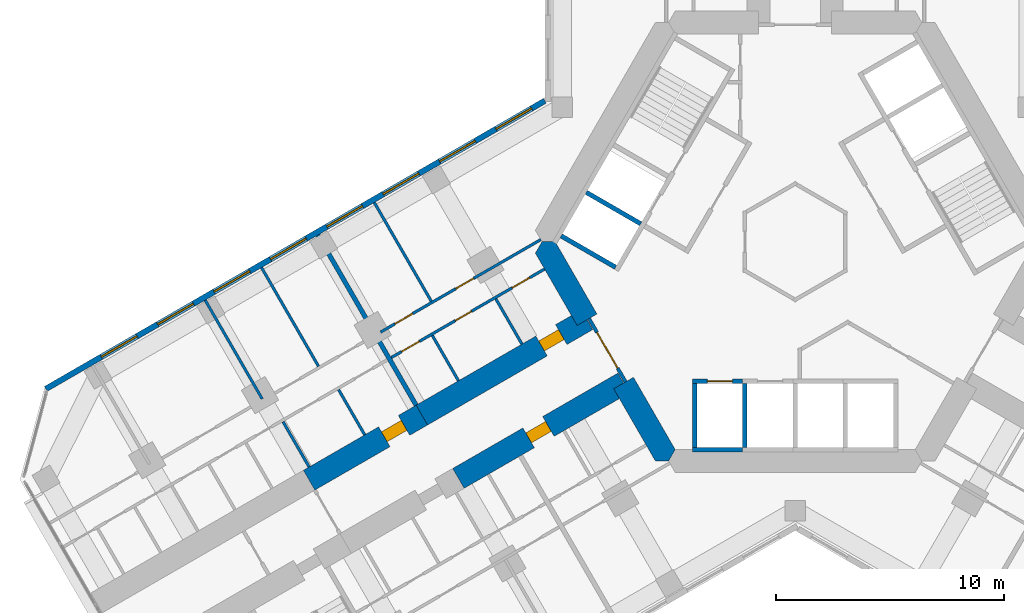
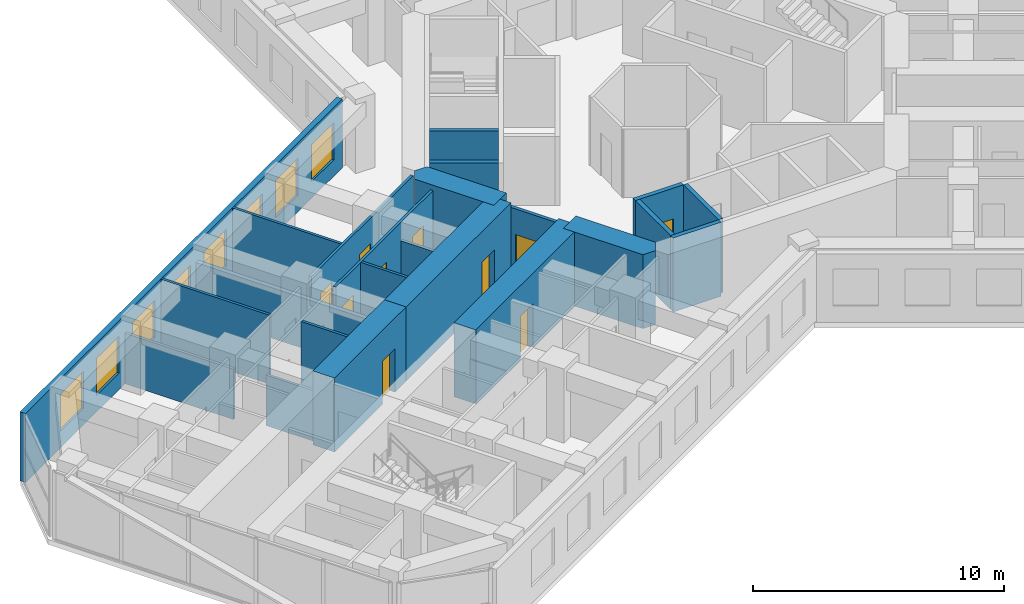
# One storey, part 12 of 21: 23 walls, 10 doors, 8 windows, 18 openings.
"""IFC4 building model written with IfcOpenShell, lengths in metres."""

import ifcopenshell
import ifcopenshell.guid

model = None  # the IFC model being written
_history = None  # IfcOwnerHistory: only IFC2X3 demands one
_inside = {}  # id of a spatial element -> (the spatial element, [elements in it])
_under = {}  # id of a project, library or spatial element -> (it, [spatial elements below it])
_declared = {}  # id of a project -> (the project, [libraries it declares])
_typed = {}  # id of a type object -> (the type object, [elements of that type])
_made_of = {}  # id of a material, layer set ... -> (it, [elements and type objects made of it])


def new_model(schema):
    """Start an empty IFC model of exactly this schema.

    Asked for "IFC4X3", IfcOpenShell would pick the latest addendum, in which some entities
    have other attributes; the version numbers below select the first issue.
    IFC2X3 requires an IfcOwnerHistory on every rooted entity: one is made here for all.
    """
    global model, _history
    if schema == "IFC4X3":
        model = ifcopenshell.file(schema_version=(4, 3, 0, 0))
    else:
        model = ifcopenshell.file(schema=schema)
    _inside.clear()
    _under.clear()
    _declared.clear()
    _typed.clear()
    _made_of.clear()
    _history = None
    if model.schema == "IFC2X3":
        org = make("IfcOrganization", Name="unknown")
        user = make(
            "IfcPersonAndOrganization",
            ThePerson=make("IfcPerson", FamilyName="unknown"),
            TheOrganization=org,
        )
        app = make(
            "IfcApplication",
            ApplicationDeveloper=org,
            Version="unknown",
            ApplicationFullName="unknown",
            ApplicationIdentifier="unknown",
        )
        _history = make(
            "IfcOwnerHistory",
            OwningUser=user,
            OwningApplication=app,
            ChangeAction="ADDED",
            CreationDate=0,
        )
    return model


def make(cls, **values):
    """One entity of the class cls with the attributes given. An attribute that is None is left unset."""
    return model.create_entity(
        cls, **{name: value for name, value in values.items() if value is not None}
    )


def rooted(cls, **values):
    """An entity with a GlobalId (a new one), such as an element, a storey or a relation."""
    return make(cls, GlobalId=ifcopenshell.guid.new(), OwnerHistory=_history, **values)


def si_unit(unit_type, name, prefix=None):
    """IfcSIUnit, for example si_unit("LENGTHUNIT", "METRE", prefix="MILLI")."""
    return make("IfcSIUnit", UnitType=unit_type, Prefix=prefix, Name=name)


def assignment(units):
    """IfcUnitAssignment: the units of a project."""
    return None if units is None else make("IfcUnitAssignment", Units=units)


def point(xyz):
    """IfcCartesianPoint."""
    return None if xyz is None else make("IfcCartesianPoint", Coordinates=xyz)


def direction(xyz):
    """IfcDirection."""
    return None if xyz is None else make("IfcDirection", DirectionRatios=xyz)


def frame(location, z_axis=None, x_axis=None):
    """IfcAxis2Placement3D, a coordinate frame: its origin and axes. An axis left out is left unset."""
    return make(
        "IfcAxis2Placement3D",
        Location=point(location),
        Axis=direction(z_axis),
        RefDirection=direction(x_axis),
    )


def frame_2d(location, x_axis=None):
    """IfcAxis2Placement2D, a coordinate frame in the plane: its origin and x axis."""
    return make(
        "IfcAxis2Placement2D", Location=point(location), RefDirection=direction(x_axis)
    )


def origin():
    """The frame at (0, 0, 0) with its axes left unset."""
    return frame((0.0, 0.0, 0.0))


def place(relative_to, where):
    """IfcLocalPlacement: puts the frame where relative to a parent placement (None: the world)."""
    return make(
        "IfcLocalPlacement", PlacementRelTo=relative_to, RelativePlacement=where
    )


def context(
    kind, dimensions, precision=None, world=None, true_north=None, identifier=None
):
    """IfcGeometricRepresentationContext, for example the 3D "Model" context."""
    return make(
        "IfcGeometricRepresentationContext",
        ContextIdentifier=identifier,
        ContextType=kind,
        CoordinateSpaceDimension=dimensions,
        Precision=precision,
        WorldCoordinateSystem=world,
        TrueNorth=true_north,
    )


def subcontext(parent, identifier, kind, view, scale=None):
    """IfcGeometricRepresentationSubContext, for example "Body" below "Model"."""
    return make(
        "IfcGeometricRepresentationSubContext",
        ContextIdentifier=identifier,
        ContextType=kind,
        ParentContext=parent,
        TargetScale=scale,
        TargetView=view,
    )


def project(units=None, contexts=None):
    """IfcProject with its units and contexts."""
    return rooted(
        "IfcProject",
        Name="project",
        RepresentationContexts=contexts,
        UnitsInContext=assignment(units),
    )


def spatial(cls, under=None, at=None, **own):
    """A site, building, storey or space (cls), placed at a placement, below another one or the project."""
    s = rooted(cls, ObjectPlacement=at, **own)
    if under is not None:
        _under.setdefault(under.id(), (under, []))[1].append(s)
    return s


def polyline(points):
    """IfcPolyline through the points."""
    return make("IfcPolyline", Points=[point(p) for p in points])


def profile(cls, at=None, kind="AREA", **sizes):
    """A parametric profile (cls). Its sizes go by their IFC names, for example OverallWidth=200.0."""
    return make(cls, ProfileType=kind, Position=at, **sizes)


def rectangle(**sizes):
    """IfcRectangleProfileDef."""
    return profile("IfcRectangleProfileDef", **sizes)


def outline(outer, holes=None, kind="AREA"):
    """IfcArbitraryClosedProfileDef: a profile drawn as a closed curve; with holes, ...WithVoids."""
    if holes is None:
        return make("IfcArbitraryClosedProfileDef", ProfileType=kind, OuterCurve=outer)
    return make(
        "IfcArbitraryProfileDefWithVoids",
        ProfileType=kind,
        OuterCurve=outer,
        InnerCurves=holes,
    )


def extrude(swept, where, along, depth):
    """IfcExtrudedAreaSolid: the profile swept, set in the frame where, extruded along a direction by depth."""
    return make(
        "IfcExtrudedAreaSolid",
        SweptArea=swept,
        Position=where,
        ExtrudedDirection=direction(along),
        Depth=depth,
    )


def shape(context_of_items, identifier, shape_type, items):
    """IfcShapeRepresentation: the items that make up one representation, for example the "Body"."""
    return make(
        "IfcShapeRepresentation",
        ContextOfItems=context_of_items,
        RepresentationIdentifier=identifier,
        RepresentationType=shape_type,
        Items=items,
    )


def material(Name=None, Category=None):
    """IfcMaterial."""
    return make("IfcMaterial", Name=Name, Category=Category)


def layer(
    of_material, thickness, ventilated=None, Name=None, Category=None, Priority=None
):
    """IfcMaterialLayer: one layer of a wall or slab, of a material (None: an air gap)."""
    return make(
        "IfcMaterialLayer",
        Material=of_material,
        LayerThickness=thickness,
        IsVentilated=ventilated,
        Name=Name,
        Category=Category,
        Priority=Priority,
    )


def layer_set(layers, Name=None):
    """IfcMaterialLayerSet."""
    return make("IfcMaterialLayerSet", MaterialLayers=layers, LayerSetName=Name)


def made_of(thing, what):
    """Note that an element or type object is made of a material, layer set ...; save() writes the relation."""
    if what is not None:
        _made_of.setdefault(what.id(), (what, []))[1].append(thing)
    return thing


def type_object(cls, material=None, **own):
    """A type object (cls), such as IfcWallType, which elements share."""
    return made_of(rooted(cls, **own), material)


def element(
    cls,
    number,
    at=None,
    inside=None,
    cuts=None,
    type_object=None,
    material=None,
    context=None,
    identifier="Body",
    shape_type=None,
    held_by="IfcProductDefinitionShape",
    body=None,
    shapes=None,
    **own,
):
    """One element of the class cls, such as IfcWall. Its Tag is "e" and its number.

    at: its placement. inside: the storey or other place that contains it. cuts: it is an
    opening in that element (IfcRelVoidsElement). A single representation is given by context,
    identifier, shape_type and body (its items); several are given by shapes. held_by: the class
    of the entity that holds the representations. save() writes the other relations.
    """
    e = rooted(cls, Tag="e%d" % number, ObjectPlacement=at, **own)
    if body is not None:
        shapes = [shape(context, identifier, shape_type, body)]
    if shapes is not None:
        e.Representation = make(held_by, Representations=shapes)
    if inside is not None:
        _inside.setdefault(inside.id(), (inside, []))[1].append(e)
    if cuts is not None:
        rooted(
            "IfcRelVoidsElement", RelatingBuildingElement=cuts, RelatedOpeningElement=e
        )
    if type_object is not None:
        _typed.setdefault(type_object.id(), (type_object, []))[1].append(e)
    return made_of(e, material)


def fill(opening, filler):
    """IfcRelFillsElement: the door or window that sits in an opening."""
    return rooted(
        "IfcRelFillsElement",
        RelatingOpeningElement=opening,
        RelatedBuildingElement=filler,
    )


def aggregate(whole, parts):
    """IfcRelAggregates: a whole, such as a stair, and the parts it consists of."""
    return rooted("IfcRelAggregates", RelatingObject=whole, RelatedObjects=parts)


def save(model, path):
    """Write the relations noted so far, then the file.

    IfcRelAggregates (storeys below a building ...), IfcRelContainedInSpatialStructure (elements
    in a storey), IfcRelDefinesByType, IfcRelAssociatesMaterial and IfcRelDeclares: one each for
    every whole, place, type object, material and project.
    """
    for whole, parts in _under.values():
        aggregate(whole, parts)
    for where, things in _inside.values():
        rooted(
            "IfcRelContainedInSpatialStructure",
            RelatedElements=things,
            RelatingStructure=where,
        )
    for kind, things in _typed.values():
        rooted("IfcRelDefinesByType", RelatedObjects=things, RelatingType=kind)
    for what, things in _made_of.values():
        rooted("IfcRelAssociatesMaterial", RelatedObjects=things, RelatingMaterial=what)
    for by, libraries in _declared.values():
        rooted("IfcRelDeclares", RelatingContext=by, RelatedDefinitions=libraries)
    model.write(path)


model = new_model("IFC4")

# Units and contexts
model_context = context("Model", 3, precision=1e-05, world=origin(), true_north=direction((0.0, 1.0)))
body_context = subcontext(model_context, "Body", "Model", "MODEL_VIEW")
ifc_project = project(units=[si_unit("LENGTHUNIT", "METRE"), si_unit("AREAUNIT", "SQUARE_METRE"), si_unit("VOLUMEUNIT", "CUBIC_METRE"), si_unit("PLANEANGLEUNIT", "RADIAN"), si_unit("MASSUNIT", "GRAM", prefix="KILO")], contexts=[model_context])

# Site, building, storey
site_placement = place(None, origin())
site = spatial("IfcSite", under=ifc_project, at=site_placement, CompositionType="ELEMENT")
building_placement = place(site_placement, origin())
building = spatial("IfcBuilding", under=site, at=building_placement, Name="Kosmar Iwan School Tower", CompositionType="ELEMENT")
storey_placement = place(building_placement, frame((0.0, 0.0, 88.0)))
storey = spatial("IfcBuildingStorey", under=building, at=storey_placement, Name="L21", CompositionType="ELEMENT", Elevation=88.0)

# Walls
ifc_material_1 = material(Name="Concrete C50/60", Category="concrete")
ifc_layer_1 = layer(ifc_material_1, 1.0)
ifc_layer_set_1 = layer_set([ifc_layer_1], Name="Core wall 1000")
wall_type_1 = type_object("IfcWallType", Name="Core wall 1000", PredefinedType="SHEAR", material=ifc_layer_set_1)
wall_1_placement = place(storey_placement, origin())
element("IfcWall", 1, at=wall_1_placement, inside=storey, type_object=wall_type_1, Name="Core wall F210a", PredefinedType="SHEAR", context=body_context, shape_type="SweptSolid", body=[
    extrude(outline(polyline([(-9.546875, -3.664306640625), (-8.680908203125, -3.164306640625), (-10.5078125, 0.0), (-11.085205078125, 0.0), (-11.373779296875, -0.5), (-9.546875, -3.664306640625)])), origin(), (0.0, 0.0, 1.0), 3.60009765625),
])
wall_2_placement = place(storey_placement, origin())
element("IfcWall", 2, at=wall_2_placement, inside=storey, type_object=wall_type_1, Name="Core wall F210b", PredefinedType="SHEAR", context=body_context, shape_type="SweptSolid", body=[
    extrude(outline(polyline([(-6.119873046875, -9.60009765625), (-5.54248046875, -9.60009765625), (-5.25390625, -9.10009765625), (-7.080810546875, -5.935546875), (-7.94677734375, -6.435546875), (-6.119873046875, -9.60009765625)])), origin(), (0.0, 0.0, 1.0), 3.60009765625),
])

# Wall, opening, door
ifc_material_2 = material(Name="Concrete C50/60", Category="concrete")
ifc_layer_2 = layer(ifc_material_2, 1.0)
ifc_layer_set_2 = layer_set([ifc_layer_2], Name="Corridor buttress wall 1000")
wall_type_2 = type_object("IfcWallType", Name="Corridor buttress wall 1000", PredefinedType="SHEAR", material=ifc_layer_set_2)
wall_3_placement = place(storey_placement, frame((-7.513916015625, -6.185546875, 0.0), z_axis=(0.0, 0.0, 1.0), x_axis=(-0.866019549707, -0.500010139422, 0.0)))
wall_3 = element("IfcWall", 3, at=wall_3_placement, inside=storey, type_object=wall_type_2, Name="Corridor wall BL", PredefinedType="SHEAR", context=body_context, shape_type="SweptSolid", body=[
    extrude(rectangle(XDim=8.349853515625, YDim=1.0, at=frame_2d((4.1748046875, 0.0))), origin(), (0.0, 0.0, 1.0), 3.60009765625),
])
opening_1_placement = place(wall_3_placement, frame((3.800048828125, 0.0, 0.0)))
opening_1 = element("IfcOpeningElement", 4, at=opening_1_placement, cuts=wall_3, Name="Opening D1", PredefinedType="OPENING", context=body_context, shape_type="SweptSolid", body=[
    extrude(rectangle(XDim=1.0, YDim=2.10009765625, at=frame_2d((0.5, 1.050048828125))), frame((0.0, 0.511962890625, 0.0), z_axis=(0.0, -1.0, 0.0), x_axis=(1.0, 0.0, 0.0)), (0.0, 0.0, 1.0), 1.02392578125),
])
ifc_material_3 = material(Name="Timber fire door in steel frame", Category="steel")
door_type_1 = type_object("IfcDoorType", Name="Flat entrance door 1000x2100", OperationType="SINGLE_SWING_LEFT", PredefinedType="DOOR", material=ifc_material_3)
door_1_placement = place(opening_1_placement, origin())
door_1 = element("IfcDoor", 5, at=door_1_placement, inside=storey, type_object=door_type_1, Name="Flat L21-BL1 entrance door", OperationType="SINGLE_SWING_LEFT", OverallHeight=2.10009765625, OverallWidth=1.0, PredefinedType="DOOR", context=body_context, shape_type="SweptSolid", body=[
    extrude(rectangle(XDim=1.0, YDim=2.10009765625, at=frame_2d((0.5, 1.050048828125))), frame((0.0, 0.25, 0.0), z_axis=(0.0, -1.0, 0.0), x_axis=(1.0, 0.0, 0.0)), (0.0, 0.0, 1.0), 0.5),
])
fill(opening_1, door_1)

wall_4_placement = place(storey_placement, frame((-9.11376953125, -3.414306640625, 0.0), z_axis=(0.0, 0.0, 1.0), x_axis=(-0.866026859388, -0.499997478812, 0.0)))
wall_4 = element("IfcWall", 6, at=wall_4_placement, inside=storey, type_object=wall_type_2, Name="Corridor wall BR", PredefinedType="SHEAR", context=body_context, shape_type="SweptSolid", body=[
    extrude(rectangle(XDim=8.35009765625, YDim=1.0, at=frame_2d((4.175048828125, 0.0))), origin(), (0.0, 0.0, 1.0), 3.60009765625),
])
opening_2_placement = place(wall_4_placement, frame((1.300048828125, 0.0, 0.0)))
opening_2 = element("IfcOpeningElement", 7, at=opening_2_placement, cuts=wall_4, Name="Opening D1", PredefinedType="OPENING", context=body_context, shape_type="SweptSolid", body=[
    extrude(rectangle(XDim=1.0, YDim=2.10009765625, at=frame_2d((0.5, 1.050048828125))), frame((0.0, 0.511962890625, 0.0), z_axis=(0.0, -1.0, 0.0), x_axis=(1.0, 0.0, 0.0)), (0.0, 0.0, 1.0), 1.02392578125),
])
door_2_placement = place(opening_2_placement, origin())
door_2 = element("IfcDoor", 8, at=door_2_placement, inside=storey, type_object=door_type_1, Name="Flat L21-BR1 entrance door", OperationType="SINGLE_SWING_LEFT", OverallHeight=2.10009765625, OverallWidth=1.0, PredefinedType="DOOR", context=body_context, shape_type="SweptSolid", body=[
    extrude(rectangle(XDim=1.0, YDim=2.10009765625, at=frame_2d((0.5, 1.050048828125))), frame((0.0, 0.25, 0.0), z_axis=(0.0, -1.0, 0.0), x_axis=(1.0, 0.0, 0.0)), (0.0, 0.0, 1.0), 0.5),
])
fill(opening_2, door_2)

wall_5_placement = place(storey_placement, frame((-16.34521484375, -7.58935546875, 0.0), z_axis=(0.0, 0.0, 1.0), x_axis=(-0.866015111908, -0.50001782563, 0.0)))
wall_5 = element("IfcWall", 9, at=wall_5_placement, inside=storey, type_object=wall_type_2, Name="Corridor wall BR bay 2", PredefinedType="SHEAR", context=body_context, shape_type="SweptSolid", body=[
    extrude(rectangle(XDim=5.699951171875, YDim=1.0, at=frame_2d((2.85009765625, 0.0))), origin(), (0.0, 0.0, 1.0), 3.60009765625),
])
opening_3_placement = place(wall_5_placement, frame((0.89990234375, 0.0, 0.0)))
opening_3 = element("IfcOpeningElement", 10, at=opening_3_placement, cuts=wall_5, Name="Opening D1", PredefinedType="OPENING", context=body_context, shape_type="SweptSolid", body=[
    extrude(rectangle(XDim=1.0, YDim=2.10009765625, at=frame_2d((0.5, 1.050048828125))), frame((0.0, 0.511962890625, 0.0), z_axis=(0.0, -1.0, 0.0), x_axis=(1.0, 0.0, 0.0)), (0.0, 0.0, 1.0), 1.02392578125),
])
door_3_placement = place(opening_3_placement, origin())
door_3 = element("IfcDoor", 11, at=door_3_placement, inside=storey, type_object=door_type_1, Name="Flat L21-BR2 entrance door", OperationType="SINGLE_SWING_LEFT", OverallHeight=2.10009765625, OverallWidth=1.0, PredefinedType="DOOR", context=body_context, shape_type="SweptSolid", body=[
    extrude(rectangle(XDim=1.0, YDim=2.10009765625, at=frame_2d((0.5, 1.050048828125))), frame((0.0, 0.25, 0.0), z_axis=(0.0, -1.0, 0.0), x_axis=(1.0, 0.0, 0.0)), (0.0, 0.0, 1.0), 0.5),
])
fill(opening_3, door_3)

ifc_material_4 = material(Name="Steel framed glazed screen", Category="steel")
ifc_layer_3 = layer(ifc_material_4, 0.14990234375)
ifc_layer_set_3 = layer_set([ifc_layer_3], Name="Corridor screen wall 150")
wall_type_3 = type_object("IfcWallType", Name="Corridor screen wall 150", PredefinedType="PARTITIONING", material=ifc_layer_set_3)
wall_6_placement = place(storey_placement, frame((-9.02734375, -3.3642578125, 0.0), z_axis=(0.0, 0.0, 1.0), x_axis=(0.499995408039, -0.866028054938, 0.0)))
wall_6 = element("IfcWall", 12, at=wall_6_placement, inside=storey, type_object=wall_type_3, Name="Corridor screen B L21", PredefinedType="PARTITIONING", context=body_context, shape_type="SweptSolid", body=[
    extrude(rectangle(XDim=3.2001953125, YDim=0.14990234375, at=frame_2d((1.60009765625, 0.0))), origin(), (0.0, 0.0, 1.0), 3.35009765625),
])
opening_4_placement = place(wall_6_placement, frame((0.699951171875, 0.0, 0.0)))
opening_4 = element("IfcOpeningElement", 13, at=opening_4_placement, cuts=wall_6, Name="Opening D9", PredefinedType="OPENING", context=body_context, shape_type="SweptSolid", body=[
    extrude(rectangle(XDim=1.800048828125, YDim=2.10009765625, at=frame_2d((0.89990234375, 1.050048828125))), frame((0.0, 0.0869140625, 0.0), z_axis=(0.0, -1.0, 0.0), x_axis=(1.0, 0.0, 0.0)), (0.0, 0.0, 1.0), 0.173828125),
])
ifc_material_5 = material(Name="Steel framed glazed smoke door", Category="steel")
door_type_2 = type_object("IfcDoorType", Name="Corridor smoke door pair 1800x2100", OperationType="DOUBLE_DOOR_DOUBLE_SWING", PredefinedType="DOOR", material=ifc_material_5)
door_4_placement = place(opening_4_placement, origin())
door_4 = element("IfcDoor", 14, at=door_4_placement, inside=storey, type_object=door_type_2, Name="Corridor doors B L21", OperationType="DOUBLE_DOOR_DOUBLE_SWING", OverallHeight=2.10009765625, OverallWidth=1.800048828125, PredefinedType="DOOR", context=body_context, shape_type="SweptSolid", body=[
    extrude(rectangle(XDim=1.800048828125, YDim=2.10009765625, at=frame_2d((0.89990234375, 1.050048828125))), frame((0.0, 0.02490234375, 0.0), z_axis=(0.0, -1.0, 0.0), x_axis=(1.0, 0.0, 0.0)), (0.0, 0.0, 1.0), 0.050048828125),
])
fill(opening_4, door_4)

# Wall, openings, doors
ifc_material_6 = material(Name="Gypsum board on steel studs", Category="steel")
ifc_layer_4 = layer(ifc_material_6, 0.1201171875)
ifc_layer_set_4 = layer_set([ifc_layer_4], Name="Dwelling partition 120")
wall_type_4 = type_object("IfcWallType", Name="Dwelling partition 120", PredefinedType="PARTITIONING", material=ifc_layer_set_4)
wall_7_placement = place(storey_placement, frame((-10.971923828125, -1.1962890625, 0.0), z_axis=(0.0, 0.0, 1.0), x_axis=(-0.866024534185, -0.500001506187, 0.0)))
wall_7 = element("IfcWall", 15, at=wall_7_placement, inside=storey, type_object=wall_type_4, Name="Partition L21-BR1-W1", PredefinedType="PARTITIONING", context=body_context, shape_type="SweptSolid", body=[
    extrude(rectangle(XDim=7.75, YDim=0.1201171875, at=frame_2d((3.875, 0.0))), origin(), (0.0, 0.0, 1.0), 3.35009765625),
])
opening_5_placement = place(wall_7_placement, frame((0.75, 0.0, 0.0)))
opening_5 = element("IfcOpeningElement", 16, at=opening_5_placement, cuts=wall_7, Name="Opening D2", PredefinedType="OPENING", context=body_context, shape_type="SweptSolid", body=[
    extrude(rectangle(XDim=0.89990234375, YDim=2.10009765625, at=frame_2d((0.449951171875, 1.050048828125))), frame((0.0, 0.072021484375, 0.0), z_axis=(0.0, -1.0, 0.0), x_axis=(1.0, 0.0, 0.0)), (0.0, 0.0, 1.0), 0.14404296875),
])
opening_6_placement = place(wall_7_placement, frame((3.705078125, 0.0, 0.0)))
opening_6 = element("IfcOpeningElement", 17, at=opening_6_placement, cuts=wall_7, Name="Opening D3", PredefinedType="OPENING", context=body_context, shape_type="SweptSolid", body=[
    extrude(rectangle(XDim=0.800048828125, YDim=2.10009765625, at=frame_2d((0.39990234375, 1.050048828125))), frame((0.0, 0.072021484375, 0.0), z_axis=(0.0, -1.0, 0.0), x_axis=(1.0, 0.0, 0.0)), (0.0, 0.0, 1.0), 0.14404296875),
])
opening_7_placement = place(wall_7_placement, frame((6.330078125, 0.0, 0.0)))
opening_7 = element("IfcOpeningElement", 18, at=opening_7_placement, cuts=wall_7, Name="Opening D2", PredefinedType="OPENING", context=body_context, shape_type="SweptSolid", body=[
    extrude(rectangle(XDim=0.89990234375, YDim=2.10009765625, at=frame_2d((0.449951171875, 1.050048828125))), frame((0.0, 0.072021484375, 0.0), z_axis=(0.0, -1.0, 0.0), x_axis=(1.0, 0.0, 0.0)), (0.0, 0.0, 1.0), 0.14404296875),
])
ifc_material_7 = material(Name="Timber door in timber frame", Category="wood")
door_type_3 = type_object("IfcDoorType", Name="Internal door 900x2100", OperationType="SINGLE_SWING_LEFT", PredefinedType="DOOR", material=ifc_material_7)
door_5_placement = place(opening_5_placement, origin())
door_5 = element("IfcDoor", 19, at=door_5_placement, inside=storey, type_object=door_type_3, Name="Entrance hall door L21-BR1-S1", OperationType="SINGLE_SWING_LEFT", OverallHeight=2.10009765625, OverallWidth=0.89990234375, PredefinedType="DOOR", context=body_context, shape_type="SweptSolid", body=[
    extrude(rectangle(XDim=0.89990234375, YDim=2.10009765625, at=frame_2d((0.449951171875, 1.050048828125))), frame((0.0, 0.02490234375, 0.0), z_axis=(0.0, -1.0, 0.0), x_axis=(1.0, 0.0, 0.0)), (0.0, 0.0, 1.0), 0.050048828125),
])
fill(opening_5, door_5)
door_6_placement = place(opening_7_placement, origin())
door_6 = element("IfcDoor", 20, at=door_6_placement, inside=storey, type_object=door_type_3, Name="Pantry door L21-BR1-S3", OperationType="SINGLE_SWING_RIGHT", OverallHeight=2.10009765625, OverallWidth=0.89990234375, PredefinedType="DOOR", context=body_context, shape_type="SweptSolid", body=[
    extrude(rectangle(XDim=0.89990234375, YDim=2.10009765625, at=frame_2d((0.449951171875, 1.050048828125))), frame((0.0, 0.02490234375, 0.0), z_axis=(0.0, -1.0, 0.0), x_axis=(1.0, 0.0, 0.0)), (0.0, 0.0, 1.0), 0.050048828125),
])
fill(opening_7, door_6)
ifc_material_8 = material(Name="Timber door in timber frame", Category="wood")
door_type_4 = type_object("IfcDoorType", Name="Sanitary room door 800x2100", OperationType="SINGLE_SWING_LEFT", PredefinedType="DOOR", material=ifc_material_8)
door_7_placement = place(opening_6_placement, origin())
door_7 = element("IfcDoor", 21, at=door_7_placement, inside=storey, type_object=door_type_4, Name="Bathroom door L21-BR1-S2", OperationType="SINGLE_SWING_RIGHT", OverallHeight=2.10009765625, OverallWidth=0.800048828125, PredefinedType="DOOR", context=body_context, shape_type="SweptSolid", body=[
    extrude(rectangle(XDim=0.800048828125, YDim=2.10009765625, at=frame_2d((0.39990234375, 1.050048828125))), frame((0.0, 0.02490234375, 0.0), z_axis=(0.0, -1.0, 0.0), x_axis=(1.0, 0.0, 0.0)), (0.0, 0.0, 1.0), 0.050048828125),
])
fill(opening_6, door_7)

wall_8_placement = place(storey_placement, frame((-11.138916015625, 0.093017578125, 0.0), z_axis=(0.0, 0.0, 1.0), x_axis=(-0.866017937352, -0.500012932018, 0.0)))
wall_8 = element("IfcWall", 22, at=wall_8_placement, inside=storey, type_object=wall_type_4, Name="Partition L21-BR1-W2", PredefinedType="PARTITIONING", context=body_context, shape_type="SweptSolid", body=[
    extrude(rectangle(XDim=8.099853515625, YDim=0.1201171875, at=frame_2d((4.0498046875, 0.0))), origin(), (0.0, 0.0, 1.0), 3.35009765625),
])
opening_8_placement = place(wall_8_placement, frame((3.39990234375, 0.0, 0.0)))
opening_8 = element("IfcOpeningElement", 23, at=opening_8_placement, cuts=wall_8, Name="Opening D2", PredefinedType="OPENING", context=body_context, shape_type="SweptSolid", body=[
    extrude(rectangle(XDim=0.89990234375, YDim=2.10009765625, at=frame_2d((0.449951171875, 1.050048828125))), frame((0.0, 0.072021484375, 0.0), z_axis=(0.0, -1.0, 0.0), x_axis=(1.0, 0.0, 0.0)), (0.0, 0.0, 1.0), 0.14404296875),
])
opening_9_placement = place(wall_8_placement, frame((6.47509765625, 0.0, 0.0)))
opening_9 = element("IfcOpeningElement", 24, at=opening_9_placement, cuts=wall_8, Name="Opening D2", PredefinedType="OPENING", context=body_context, shape_type="SweptSolid", body=[
    extrude(rectangle(XDim=0.89990234375, YDim=2.10009765625, at=frame_2d((0.449951171875, 1.050048828125))), frame((0.0, 0.072021484375, 0.0), z_axis=(0.0, -1.0, 0.0), x_axis=(1.0, 0.0, 0.0)), (0.0, 0.0, 1.0), 0.14404296875),
])
door_8_placement = place(opening_8_placement, origin())
door_8 = element("IfcDoor", 25, at=door_8_placement, inside=storey, type_object=door_type_3, Name="Living room and kitchen door L21-BR1-F1", OperationType="SINGLE_SWING_LEFT", OverallHeight=2.10009765625, OverallWidth=0.89990234375, PredefinedType="DOOR", context=body_context, shape_type="SweptSolid", body=[
    extrude(rectangle(XDim=0.89990234375, YDim=2.10009765625, at=frame_2d((0.449951171875, 1.050048828125))), frame((0.0, 0.02490234375, 0.0), z_axis=(0.0, -1.0, 0.0), x_axis=(1.0, 0.0, 0.0)), (0.0, 0.0, 1.0), 0.050048828125),
])
fill(opening_8, door_8)
door_9_placement = place(opening_9_placement, origin())
door_9 = element("IfcDoor", 26, at=door_9_placement, inside=storey, type_object=door_type_3, Name="Bedroom 1 door L21-BR1-F2", OperationType="SINGLE_SWING_RIGHT", OverallHeight=2.10009765625, OverallWidth=0.89990234375, PredefinedType="DOOR", context=body_context, shape_type="SweptSolid", body=[
    extrude(rectangle(XDim=0.89990234375, YDim=2.10009765625, at=frame_2d((0.449951171875, 1.050048828125))), frame((0.0, 0.02490234375, 0.0), z_axis=(0.0, -1.0, 0.0), x_axis=(1.0, 0.0, 0.0)), (0.0, 0.0, 1.0), 0.050048828125),
])
fill(opening_9, door_9)

# Walls
wall_9_placement = place(storey_placement, frame((-15.931884765625, -2.60498046875, 0.0), z_axis=(0.0, 0.0, 1.0), x_axis=(-0.500011847778, 0.866018563358, 0.0)))
element("IfcWall", 27, at=wall_9_placement, inside=storey, type_object=wall_type_4, Name="Partition L21-BR1-X1", PredefinedType="PARTITIONING", context=body_context, shape_type="SweptSolid", body=[
    extrude(rectangle(XDim=4.990234375, YDim=0.1201171875, at=frame_2d((2.4951171875, 0.0))), origin(), (0.0, 0.0, 1.0), 3.35009765625),
])
wall_10_placement = place(storey_placement, frame((-11.9619140625, -4.4814453125, 0.0), z_axis=(0.0, 0.0, 1.0), x_axis=(-0.499968531483, 0.866043571379, 0.0)))
element("IfcWall", 28, at=wall_10_placement, inside=storey, type_object=wall_type_4, Name="Partition L21-BR1-Y1", PredefinedType="PARTITIONING", context=body_context, shape_type="SweptSolid", body=[
    extrude(rectangle(XDim=2.290283203125, YDim=0.1201171875, at=frame_2d((1.14501953125, 0.0))), origin(), (0.0, 0.0, 1.0), 2.449951171875),
])
wall_11_placement = place(storey_placement, frame((-14.741943359375, -6.08642578125, 0.0), z_axis=(0.0, 0.0, 1.0), x_axis=(-0.499968531483, 0.866043571379, 0.0)))
element("IfcWall", 29, at=wall_11_placement, inside=storey, type_object=wall_type_4, Name="Partition L21-BR1-Y2", PredefinedType="PARTITIONING", context=body_context, shape_type="SweptSolid", body=[
    extrude(rectangle(XDim=2.290283203125, YDim=0.1201171875, at=frame_2d((1.14501953125, 0.0))), origin(), (0.0, 0.0, 1.0), 3.35009765625),
])
wall_12_placement = place(storey_placement, frame((-20.868408203125, -5.455078125, 0.0), z_axis=(0.0, 0.0, 1.0), x_axis=(-0.499975153383, 0.86603974851, 0.0)))
element("IfcWall", 30, at=wall_12_placement, inside=storey, type_object=wall_type_4, Name="Partition L21-BR2-X1", PredefinedType="PARTITIONING", context=body_context, shape_type="SweptSolid", body=[
    extrude(rectangle(XDim=4.989990234375, YDim=0.1201171875, at=frame_2d((2.4951171875, 0.0))), origin(), (0.0, 0.0, 1.0), 3.35009765625),
])
wall_13_placement = place(storey_placement, frame((-23.33642578125, -6.8798828125, 0.0), z_axis=(0.0, 0.0, 1.0), x_axis=(-0.500033033937, 0.866006330792, 0.0)))
element("IfcWall", 31, at=wall_13_placement, inside=storey, type_object=wall_type_4, Name="Partition L21-BR2-X2", PredefinedType="PARTITIONING", context=body_context, shape_type="SweptSolid", body=[
    extrude(rectangle(XDim=4.989990234375, YDim=0.1201171875, at=frame_2d((2.4951171875, 0.0))), origin(), (0.0, 0.0, 1.0), 2.449951171875),
])
wall_14_placement = place(storey_placement, frame((-18.846923828125, -8.456298828125, 0.0), z_axis=(0.0, 0.0, 1.0), x_axis=(-0.500014693593, 0.866016920268, 0.0)))
element("IfcWall", 32, at=wall_14_placement, inside=storey, type_object=wall_type_4, Name="Partition L21-BR2-Y1", PredefinedType="PARTITIONING", context=body_context, shape_type="SweptSolid", body=[
    extrude(rectangle(XDim=2.2900390625, YDim=0.1201171875, at=frame_2d((1.14501953125, 0.0))), origin(), (0.0, 0.0, 1.0), 3.35009765625),
])
wall_15_placement = place(storey_placement, frame((-21.2802734375, -9.861328125, 0.0), z_axis=(0.0, 0.0, 1.0), x_axis=(-0.500014693593, 0.866016920268, 0.0)))
element("IfcWall", 33, at=wall_15_placement, inside=storey, type_object=wall_type_4, Name="Partition L21-BR2-Y2", PredefinedType="PARTITIONING", context=body_context, shape_type="SweptSolid", body=[
    extrude(rectangle(XDim=2.2900390625, YDim=0.1201171875, at=frame_2d((1.14501953125, 0.0))), origin(), (0.0, 0.0, 1.0), 2.449951171875),
])

# Wall, openings, windows
ifc_material_9 = material(Name="Black aluminium rainscreen on insulated framing", Category="aluminium")
ifc_layer_5 = layer(ifc_material_9, 0.25)
ifc_layer_set_5 = layer_set([ifc_layer_5], Name="External wall rainscreen 250")
wall_type_5 = type_object("IfcWallType", Name="External wall rainscreen 250", PredefinedType="SOLIDWALL", material=ifc_layer_set_5)
wall_16_placement = place(storey_placement, frame((-10.962890625, 6.170166015625, 0.0), z_axis=(0.0, 0.0, 1.0), x_axis=(-0.86602796634, -0.499995561497, 0.0)))
wall_16 = element("IfcWall", 34, at=wall_16_placement, inside=storey, type_object=wall_type_5, Name="External wall BR L21", PredefinedType="SOLIDWALL", context=body_context, shape_type="SweptSolid", body=[
    extrude(rectangle(XDim=25.226318359375, YDim=0.25, at=frame_2d((12.61328125, 0.0))), origin(), (0.0, 0.0, 1.0), 3.35009765625),
])
opening_10_placement = place(wall_16_placement, frame((0.666015625, 0.0, 0.800048828125)))
opening_10 = element("IfcOpeningElement", 35, at=opening_10_placement, cuts=wall_16, Name="Opening W1", PredefinedType="OPENING", context=body_context, shape_type="SweptSolid", body=[
    extrude(rectangle(XDim=1.800048828125, YDim=1.800048828125, at=frame_2d((0.89990234375, 0.89990234375))), frame((0.0, 0.136962890625, 0.0), z_axis=(0.0, -1.0, 0.0), x_axis=(1.0, 0.0, 0.0)), (0.0, 0.0, 1.0), 0.27392578125),
])
opening_11_placement = place(wall_16_placement, frame((3.51611328125, 0.0, 0.800048828125)))
opening_11 = element("IfcOpeningElement", 36, at=opening_11_placement, cuts=wall_16, Name="Opening W1", PredefinedType="OPENING", context=body_context, shape_type="SweptSolid", body=[
    extrude(rectangle(XDim=1.800048828125, YDim=1.800048828125, at=frame_2d((0.89990234375, 0.89990234375))), frame((0.0, 0.136962890625, 0.0), z_axis=(0.0, -1.0, 0.0), x_axis=(1.0, 0.0, 0.0)), (0.0, 0.0, 1.0), 0.27392578125),
])
opening_12_placement = place(wall_16_placement, frame((6.365966796875, 0.0, 0.800048828125)))
opening_12 = element("IfcOpeningElement", 37, at=opening_12_placement, cuts=wall_16, Name="Opening W1", PredefinedType="OPENING", context=body_context, shape_type="SweptSolid", body=[
    extrude(rectangle(XDim=1.800048828125, YDim=1.800048828125, at=frame_2d((0.89990234375, 0.89990234375))), frame((0.0, 0.136962890625, 0.0), z_axis=(0.0, -1.0, 0.0), x_axis=(1.0, 0.0, 0.0)), (0.0, 0.0, 1.0), 0.27392578125),
])
opening_13_placement = place(wall_16_placement, frame((9.216064453125, 0.0, 0.800048828125)))
opening_13 = element("IfcOpeningElement", 38, at=opening_13_placement, cuts=wall_16, Name="Opening W1", PredefinedType="OPENING", context=body_context, shape_type="SweptSolid", body=[
    extrude(rectangle(XDim=1.800048828125, YDim=1.800048828125, at=frame_2d((0.89990234375, 0.89990234375))), frame((0.0, 0.136962890625, 0.0), z_axis=(0.0, -1.0, 0.0), x_axis=(1.0, 0.0, 0.0)), (0.0, 0.0, 1.0), 0.27392578125),
])
opening_14_placement = place(wall_16_placement, frame((12.06591796875, 0.0, 0.800048828125)))
opening_14 = element("IfcOpeningElement", 39, at=opening_14_placement, cuts=wall_16, Name="Opening W1", PredefinedType="OPENING", context=body_context, shape_type="SweptSolid", body=[
    extrude(rectangle(XDim=1.800048828125, YDim=1.800048828125, at=frame_2d((0.89990234375, 0.89990234375))), frame((0.0, 0.136962890625, 0.0), z_axis=(0.0, -1.0, 0.0), x_axis=(1.0, 0.0, 0.0)), (0.0, 0.0, 1.0), 0.27392578125),
])
opening_15_placement = place(wall_16_placement, frame((14.916015625, 0.0, 0.800048828125)))
opening_15 = element("IfcOpeningElement", 40, at=opening_15_placement, cuts=wall_16, Name="Opening W1", PredefinedType="OPENING", context=body_context, shape_type="SweptSolid", body=[
    extrude(rectangle(XDim=1.800048828125, YDim=1.800048828125, at=frame_2d((0.89990234375, 0.89990234375))), frame((0.0, 0.136962890625, 0.0), z_axis=(0.0, -1.0, 0.0), x_axis=(1.0, 0.0, 0.0)), (0.0, 0.0, 1.0), 0.27392578125),
])
opening_16_placement = place(wall_16_placement, frame((17.76611328125, 0.0, 0.800048828125)))
opening_16 = element("IfcOpeningElement", 41, at=opening_16_placement, cuts=wall_16, Name="Opening W1", PredefinedType="OPENING", context=body_context, shape_type="SweptSolid", body=[
    extrude(rectangle(XDim=1.800048828125, YDim=1.800048828125, at=frame_2d((0.89990234375, 0.89990234375))), frame((0.0, 0.136962890625, 0.0), z_axis=(0.0, -1.0, 0.0), x_axis=(1.0, 0.0, 0.0)), (0.0, 0.0, 1.0), 0.27392578125),
])
opening_17_placement = place(wall_16_placement, frame((20.615966796875, 0.0, 0.800048828125)))
opening_17 = element("IfcOpeningElement", 42, at=opening_17_placement, cuts=wall_16, Name="Opening W1", PredefinedType="OPENING", context=body_context, shape_type="SweptSolid", body=[
    extrude(rectangle(XDim=1.800048828125, YDim=1.800048828125, at=frame_2d((0.89990234375, 0.89990234375))), frame((0.0, 0.136962890625, 0.0), z_axis=(0.0, -1.0, 0.0), x_axis=(1.0, 0.0, 0.0)), (0.0, 0.0, 1.0), 0.27392578125),
])
ifc_material_10 = material(Name="Black aluminium frame with dark triple glazing", Category="aluminium")
window_type = type_object("IfcWindowType", Name="Window 1800x1800", PartitioningType="SINGLE_PANEL", PredefinedType="WINDOW", material=ifc_material_10)
window_1_placement = place(opening_10_placement, origin())
window_1 = element("IfcWindow", 43, at=window_1_placement, inside=storey, type_object=window_type, Name="Window BR L21 -1", OverallHeight=1.800048828125, OverallWidth=1.800048828125, PartitioningType="SINGLE_PANEL", PredefinedType="WINDOW", context=body_context, shape_type="SweptSolid", body=[
    extrude(rectangle(XDim=1.800048828125, YDim=1.800048828125, at=frame_2d((0.89990234375, 0.89990234375))), frame((0.0, 0.030029296875, 0.0), z_axis=(0.0, -1.0, 0.0), x_axis=(1.0, 0.0, 0.0)), (0.0, 0.0, 1.0), 0.06005859375),
])
fill(opening_10, window_1)
window_2_placement = place(opening_11_placement, origin())
window_2 = element("IfcWindow", 44, at=window_2_placement, inside=storey, type_object=window_type, Name="Window BR L21 0", OverallHeight=1.800048828125, OverallWidth=1.800048828125, PartitioningType="SINGLE_PANEL", PredefinedType="WINDOW", context=body_context, shape_type="SweptSolid", body=[
    extrude(rectangle(XDim=1.800048828125, YDim=1.800048828125, at=frame_2d((0.89990234375, 0.89990234375))), frame((0.0, 0.030029296875, 0.0), z_axis=(0.0, -1.0, 0.0), x_axis=(1.0, 0.0, 0.0)), (0.0, 0.0, 1.0), 0.06005859375),
])
fill(opening_11, window_2)
window_3_placement = place(opening_12_placement, origin())
window_3 = element("IfcWindow", 45, at=window_3_placement, inside=storey, type_object=window_type, Name="Window BR L21 1", OverallHeight=1.800048828125, OverallWidth=1.800048828125, PartitioningType="SINGLE_PANEL", PredefinedType="WINDOW", context=body_context, shape_type="SweptSolid", body=[
    extrude(rectangle(XDim=1.800048828125, YDim=1.800048828125, at=frame_2d((0.89990234375, 0.89990234375))), frame((0.0, 0.030029296875, 0.0), z_axis=(0.0, -1.0, 0.0), x_axis=(1.0, 0.0, 0.0)), (0.0, 0.0, 1.0), 0.06005859375),
])
fill(opening_12, window_3)
window_4_placement = place(opening_13_placement, origin())
window_4 = element("IfcWindow", 46, at=window_4_placement, inside=storey, type_object=window_type, Name="Window BR L21 2", OverallHeight=1.800048828125, OverallWidth=1.800048828125, PartitioningType="SINGLE_PANEL", PredefinedType="WINDOW", context=body_context, shape_type="SweptSolid", body=[
    extrude(rectangle(XDim=1.800048828125, YDim=1.800048828125, at=frame_2d((0.89990234375, 0.89990234375))), frame((0.0, 0.030029296875, 0.0), z_axis=(0.0, -1.0, 0.0), x_axis=(1.0, 0.0, 0.0)), (0.0, 0.0, 1.0), 0.06005859375),
])
fill(opening_13, window_4)
window_5_placement = place(opening_14_placement, origin())
window_5 = element("IfcWindow", 47, at=window_5_placement, inside=storey, type_object=window_type, Name="Window BR L21 3", OverallHeight=1.800048828125, OverallWidth=1.800048828125, PartitioningType="SINGLE_PANEL", PredefinedType="WINDOW", context=body_context, shape_type="SweptSolid", body=[
    extrude(rectangle(XDim=1.800048828125, YDim=1.800048828125, at=frame_2d((0.89990234375, 0.89990234375))), frame((0.0, 0.030029296875, 0.0), z_axis=(0.0, -1.0, 0.0), x_axis=(1.0, 0.0, 0.0)), (0.0, 0.0, 1.0), 0.06005859375),
])
fill(opening_14, window_5)
window_6_placement = place(opening_15_placement, origin())
window_6 = element("IfcWindow", 48, at=window_6_placement, inside=storey, type_object=window_type, Name="Window BR L21 4", OverallHeight=1.800048828125, OverallWidth=1.800048828125, PartitioningType="SINGLE_PANEL", PredefinedType="WINDOW", context=body_context, shape_type="SweptSolid", body=[
    extrude(rectangle(XDim=1.800048828125, YDim=1.800048828125, at=frame_2d((0.89990234375, 0.89990234375))), frame((0.0, 0.030029296875, 0.0), z_axis=(0.0, -1.0, 0.0), x_axis=(1.0, 0.0, 0.0)), (0.0, 0.0, 1.0), 0.06005859375),
])
fill(opening_15, window_6)
window_7_placement = place(opening_16_placement, origin())
window_7 = element("IfcWindow", 49, at=window_7_placement, inside=storey, type_object=window_type, Name="Window BR L21 5", OverallHeight=1.800048828125, OverallWidth=1.800048828125, PartitioningType="SINGLE_PANEL", PredefinedType="WINDOW", context=body_context, shape_type="SweptSolid", body=[
    extrude(rectangle(XDim=1.800048828125, YDim=1.800048828125, at=frame_2d((0.89990234375, 0.89990234375))), frame((0.0, 0.030029296875, 0.0), z_axis=(0.0, -1.0, 0.0), x_axis=(1.0, 0.0, 0.0)), (0.0, 0.0, 1.0), 0.06005859375),
])
fill(opening_16, window_7)
window_8_placement = place(opening_17_placement, origin())
window_8 = element("IfcWindow", 50, at=window_8_placement, inside=storey, type_object=window_type, Name="Window BR L21 6", OverallHeight=1.800048828125, OverallWidth=1.800048828125, PartitioningType="SINGLE_PANEL", PredefinedType="WINDOW", context=body_context, shape_type="SweptSolid", body=[
    extrude(rectangle(XDim=1.800048828125, YDim=1.800048828125, at=frame_2d((0.89990234375, 0.89990234375))), frame((0.0, 0.030029296875, 0.0), z_axis=(0.0, -1.0, 0.0), x_axis=(1.0, 0.0, 0.0)), (0.0, 0.0, 1.0), 0.06005859375),
])
fill(opening_17, window_8)

# Walls
ifc_material_11 = material(Name="Concrete C50/60", Category="concrete")
ifc_layer_6 = layer(ifc_material_11, 0.199951171875)
ifc_layer_set_6 = layer_set([ifc_layer_6], Name="Lift shaft wall 200")
wall_type_6 = type_object("IfcWallType", Name="Lift shaft wall 200", PredefinedType="SHEAR", material=ifc_layer_set_6)
for number, where, z_axis, x_axis, name in (
    (51, (-6.7626953125, 0.78662109375, 0.0), (0.0, 0.0, 1.0), (-0.866027397988, 0.499996545922, 0.0), "Lift shaft wall AB 1"),
    (52, (-7.862548828125, -1.118408203125, 0.0), (0.0, 0.0, 1.0), (-0.866027397988, 0.499996545922, 0.0), "Lift shaft wall AB 2"),
):
    element("IfcWall", number, at=place(storey_placement, frame(where, z_axis=z_axis, x_axis=x_axis)), inside=storey, type_object=wall_type_6, Name=name, PredefinedType="SHEAR", context=body_context, shape_type="SweptSolid", body=[
        extrude(rectangle(XDim=2.75, YDim=0.199951171875, at=frame_2d((1.375, 0.0))), origin(), (0.0, 0.0, 1.0), 3.60009765625),
    ])

# Wall, opening, door
wall_17_placement = place(storey_placement, frame((-4.5, -6.10009765625, 0.0), z_axis=(0.0, 0.0, 1.0), x_axis=(1.0, 0.0, 0.0)))
wall_17 = element("IfcWall", 53, at=wall_17_placement, inside=storey, type_object=wall_type_6, Name="Lift and stair front wall BC", PredefinedType="SHEAR", context=body_context, shape_type="SweptSolid", body=[
    extrude(rectangle(XDim=2.199951171875, YDim=0.199951171875, at=frame_2d((1.10009765625, 0.0))), origin(), (0.0, 0.0, 1.0), 3.60009765625),
])
opening_18_placement = place(wall_17_placement, frame((0.64990234375, 0.0, 0.0)))
opening_18 = element("IfcOpeningElement", 54, at=opening_18_placement, cuts=wall_17, Name="Opening LD1", PredefinedType="OPENING", context=body_context, shape_type="SweptSolid", body=[
    extrude(rectangle(XDim=1.10009765625, YDim=2.10009765625, at=frame_2d((0.550048828125, 1.050048828125))), frame((0.0, 0.112060546875, 0.0), z_axis=(0.0, -1.0, 0.0), x_axis=(1.0, 0.0, 0.0)), (0.0, 0.0, 1.0), 0.223876953125),
])
ifc_material_12 = material(Name="Stainless steel sliding lift door", Category="steel")
door_type_5 = type_object("IfcDoorType", Name="Lift landing door 1100x2100", OperationType="SLIDING_TO_LEFT", PredefinedType="DOOR", material=ifc_material_12)
door_10_placement = place(opening_18_placement, origin())
door_10 = element("IfcDoor", 55, at=door_10_placement, inside=storey, type_object=door_type_5, Name="Lift PL1 landing door L21", OperationType="SLIDING_TO_LEFT", OverallHeight=2.10009765625, OverallWidth=1.10009765625, PredefinedType="DOOR", context=body_context, shape_type="SweptSolid", body=[
    extrude(rectangle(XDim=1.10009765625, YDim=2.10009765625, at=frame_2d((0.550048828125, 1.050048828125))), frame((0.0, 0.02490234375, 0.0), z_axis=(0.0, -1.0, 0.0), x_axis=(1.0, 0.0, 0.0)), (0.0, 0.0, 1.0), 0.050048828125),
])
fill(opening_18, door_10)

# Walls
wall_18_placement = place(storey_placement, frame((-4.5, -9.10009765625, 0.0), z_axis=(0.0, 0.0, 1.0), x_axis=(1.0, 0.0, 0.0)))
element("IfcWall", 56, at=wall_18_placement, inside=storey, type_object=wall_type_6, Name="Lift and stair back wall BC", PredefinedType="SHEAR", context=body_context, shape_type="SweptSolid", body=[
    extrude(rectangle(XDim=2.199951171875, YDim=0.199951171875, at=frame_2d((1.10009765625, 0.0))), origin(), (0.0, 0.0, 1.0), 3.60009765625),
])
for number, where, z_axis, x_axis, name in (
    (57, (-4.39990234375, -6.199951171875, 0.0), (0.0, 0.0, 1.0), (0.0, -1.0, 0.0), "Lift shaft wall BC 0"),
    (58, (-2.199951171875, -6.199951171875, 0.0), (0.0, 0.0, 1.0), (0.0, -1.0, 0.0), "Lift shaft wall BC 1"),
):
    element("IfcWall", number, at=place(storey_placement, frame(where, z_axis=z_axis, x_axis=x_axis)), inside=storey, type_object=wall_type_6, Name=name, PredefinedType="SHEAR", context=body_context, shape_type="SweptSolid", body=[
        extrude(rectangle(XDim=2.800048828125, YDim=0.199951171875, at=frame_2d((1.39990234375, 0.0))), origin(), (0.0, 0.0, 1.0), 3.60009765625),
    ])
ifc_material_13 = material(Name="Concrete block masonry", Category="masonry")
ifc_layer_7 = layer(ifc_material_13, 0.199951171875)
ifc_layer_set_7 = layer_set([ifc_layer_7], Name="Party wall 200")
wall_type_7 = type_object("IfcWallType", Name="Party wall 200", PredefinedType="PARTITIONING", material=ifc_layer_set_7)
wall_19_placement = place(storey_placement, frame((-16.59521484375, -7.15625, 0.0), z_axis=(0.0, 0.0, 1.0), x_axis=(-0.500007509209, 0.866021068297, 0.0)))
element("IfcWall", 59, at=wall_19_placement, inside=storey, type_object=wall_type_7, Name="Partition L21-BR2-PW", PredefinedType="PARTITIONING", context=body_context, shape_type="SweptSolid", body=[
    extrude(rectangle(XDim=8.599853515625, YDim=0.199951171875, at=frame_2d((4.2998046875, 0.0))), origin(), (0.0, 0.0, 1.0), 2.449951171875),
])

save(model, "model.ifc")
